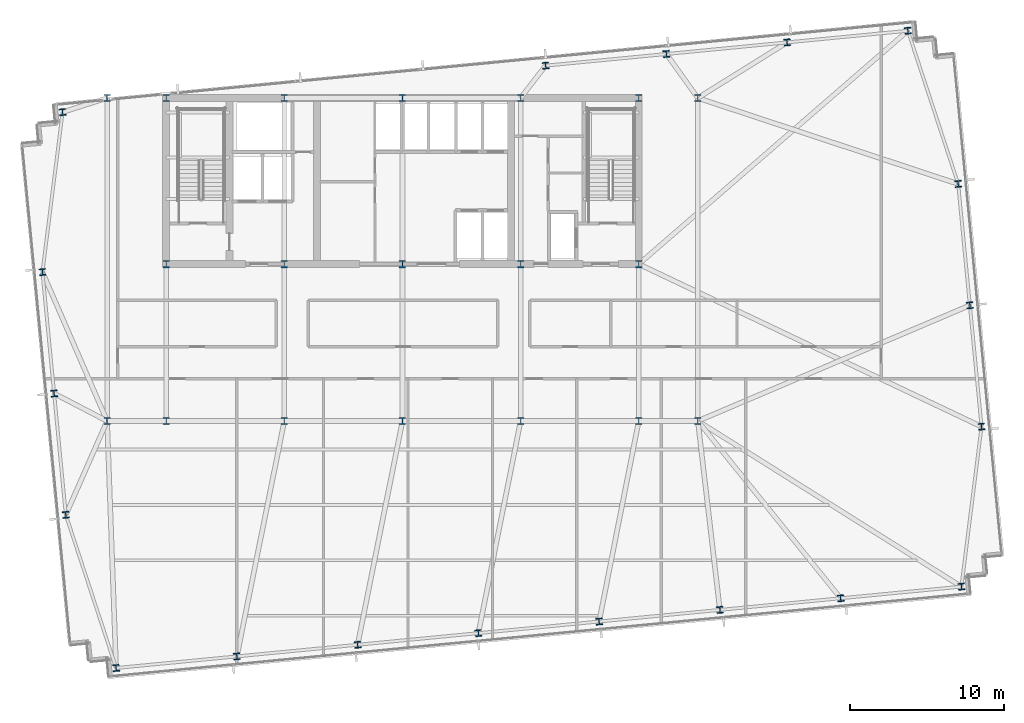
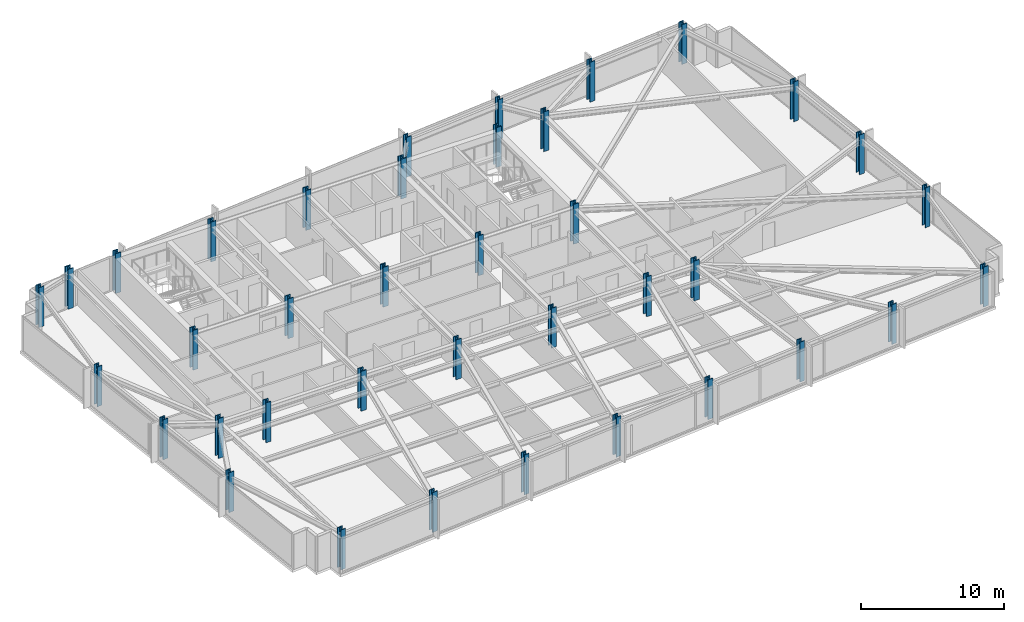
# One storey, part 1 of 32: 38 columns.
"""IFC4 building model written with IfcOpenShell, lengths in metres."""

from ifc_helpers import new_model, si_unit, direction, frame, origin, origin_2d, place, context, subcontext, project, spatial, i_section, extrude, material, material_profile, profile_set, type_object, element, save


model = new_model("IFC4")

# Units and contexts
model_context = context("Model", 3, precision=1e-05, world=origin(), true_north=direction((0.0, 1.0)))
body_context = subcontext(model_context, "Body", "Model", "MODEL_VIEW")
ifc_project = project(units=[si_unit("LENGTHUNIT", "METRE"), si_unit("AREAUNIT", "SQUARE_METRE"), si_unit("VOLUMEUNIT", "CUBIC_METRE"), si_unit("PLANEANGLEUNIT", "RADIAN"), si_unit("MASSUNIT", "GRAM", prefix="KILO")], contexts=[model_context])

# Site, building, storey
site_placement = place(None, origin())
site = spatial("IfcSite", under=ifc_project, at=site_placement, CompositionType="ELEMENT")
building_placement = place(site_placement, origin())
building = spatial("IfcBuilding", under=site, at=building_placement, Name="Yelkora Congress Tower", CompositionType="ELEMENT")
storey_placement = place(building_placement, frame((0.0, 0.0, 133.89990234375)))
storey = spatial("IfcBuildingStorey", under=building, at=storey_placement, Name="L36", CompositionType="ELEMENT", Elevation=133.89990234375)

# Columns
ifc_material = material(Name="Steel S460M", Category="steel")
ifc_material_profile_1 = material_profile(ifc_material, i_section(OverallWidth=0.412109375, OverallDepth=0.43505859375, WebThickness=0.035888671875, FlangeThickness=0.05810546875, FilletRadius=0.014892578125, at=origin_2d()), Name="HD 400x463")
ifc_profile_set_1 = profile_set([ifc_material_profile_1], Name="Steel S460M")
column_type_1 = type_object("IfcColumnType", Name="COL-HD-463-EXT", PredefinedType="COLUMN", material=ifc_profile_set_1)
for number, where, z_axis, x_axis, name in (
    (1, (19.785888671875, 9.144287109375, 0.0), (0.0, 0.0, 1.0), (0.995396198367, 0.09584575252, 0.0), "L36 Perimeter Column S01"),
    (2, (27.635498046875, 9.900146484375, 0.0), (0.0, 0.0, 1.0), (0.995396198367, 0.09584575252, 0.0), "L36 Perimeter Column S02"),
    (3, (35.48486328125, 10.656005859375, 0.0), (0.0, 0.0, 1.0), (0.995396198367, 0.09584575252, 0.0), "L36 Perimeter Column S03"),
    (4, (43.334228515625, 11.411865234375, 0.0), (0.0, 0.0, 1.0), (0.995396198367, 0.09584575252, 0.0), "L36 Perimeter Column S04"),
    (5, (51.18359375, 12.16748046875, 0.0), (0.0, 0.0, 1.0), (0.995396198367, 0.09584575252, 0.0), "L36 Perimeter Column S05"),
    (6, (59.033203125, 12.92333984375, 0.0), (0.0, 0.0, 1.0), (0.995396198367, 0.09584575252, 0.0), "L36 Perimeter Column S06"),
    (7, (66.882568359375, 13.67919921875, 0.0), (0.0, 0.0, 1.0), (0.995396198367, 0.09584575252, 0.0), "L36 Perimeter Column S07"),
    (8, (74.73193359375, 14.43505859375, 0.0), (0.0, 0.0, 1.0), (0.995396198367, 0.09584575252, 0.0), "L36 Perimeter Column S08"),
    (9, (16.306884765625, 45.27734375, 0.0), (0.0, 0.0, 1.0), (0.995396198367, 0.09584575252, 0.0), "L36 Perimeter Column N01"),
    (10, (47.70458984375, 48.300537109375, 0.0), (0.0, 0.0, 1.0), (0.995396198367, 0.09584575252, 0.0), "L36 Perimeter Column N05"),
    (11, (55.553955078125, 49.056396484375, 0.0), (0.0, 0.0, 1.0), (0.995396198367, 0.09584575252, 0.0), "L36 Perimeter Column N06"),
    (12, (63.4033203125, 49.81201171875, 0.0), (0.0, 0.0, 1.0), (0.995396198367, 0.09584575252, 0.0), "L36 Perimeter Column N07"),
    (13, (71.252685546875, 50.568115234375, 0.0), (0.0, 0.0, 1.0), (0.995396198367, 0.09584575252, 0.0), "L36 Perimeter Column N08"),
    (14, (16.5166015625, 19.101806640625, 0.0), (0.0, 0.0, 1.0), (0.995396198367, 0.09584575252, 0.0), "L36 Perimeter Column W01"),
    (15, (76.041259765625, 24.83349609375, 0.0), (0.0, 0.0, 1.0), (0.995396198367, 0.09584575252, 0.0), "L36 Perimeter Column E01"),
    (16, (15.757080078125, 26.990478515625, 0.0), (0.0, 0.0, 1.0), (0.995396198367, 0.09584575252, 0.0), "L36 Perimeter Column W02"),
    (17, (75.28173828125, 32.721923828125, 0.0), (0.0, 0.0, 1.0), (0.995396198367, 0.09584575252, 0.0), "L36 Perimeter Column E02"),
    (18, (14.997314453125, 34.87890625, 0.0), (0.0, 0.0, 1.0), (0.995396198367, 0.09584575252, 0.0), "L36 Perimeter Column W03"),
    (19, (74.522216796875, 40.610595703125, 0.0), (0.0, 0.0, 1.0), (0.995396198367, 0.09584575252, 0.0), "L36 Perimeter Column E03"),
):
    element("IfcColumn", number, at=place(storey_placement, frame(where, z_axis=z_axis, x_axis=x_axis)), inside=storey, type_object=column_type_1, Name=name, PredefinedType="COLUMN", context=body_context, shape_type="SweptSolid", body=[
        extrude(i_section(OverallWidth=0.412109375, OverallDepth=0.43505859375, WebThickness=0.035888671875, FlangeThickness=0.05810546875, FilletRadius=0.014892578125, at=origin_2d()), origin(), (0.0, 0.0, 1.0), 3.400146484375),
    ])
ifc_material_profile_2 = material_profile(ifc_material, i_section(OverallWidth=0.424072265625, OverallDepth=0.47412109375, WebThickness=0.047119140625, FlangeThickness=0.076904296875, FilletRadius=0.014892578125, at=origin_2d()), Name="HD 400x634")
ifc_profile_set_2 = profile_set([ifc_material_profile_2], Name="Steel S460M")
column_type_2 = type_object("IfcColumnType", Name="COL-HD-634", PredefinedType="COLUMN", material=ifc_profile_set_2)
for number, where, z_axis, x_axis, name in (
    (20, (23.0400390625, 35.39990234375, 0.0), (0.0, 0.0, 1.0), (1.0, 0.0, 0.0), "L36 Mega Column MC-S1"),
    (21, (23.0400390625, 46.199951171875, 0.0), (0.0, 0.0, 1.0), (1.0, 0.0, 0.0), "L36 Mega Column MC-N1"),
    (22, (23.0400390625, 25.199951171875, 0.0), (0.0, 0.0, 1.0), (1.0, 0.0, 0.0), "L36 Mega Column MC-D1"),
    (23, (30.719970703125, 35.39990234375, 0.0), (0.0, 0.0, 1.0), (1.0, 0.0, 0.0), "L36 Mega Column MC-S2"),
    (24, (30.719970703125, 46.199951171875, 0.0), (0.0, 0.0, 1.0), (1.0, 0.0, 0.0), "L36 Mega Column MC-N2"),
    (25, (30.719970703125, 25.199951171875, 0.0), (0.0, 0.0, 1.0), (1.0, 0.0, 0.0), "L36 Mega Column MC-D2"),
    (26, (38.39990234375, 35.39990234375, 0.0), (0.0, 0.0, 1.0), (1.0, 0.0, 0.0), "L36 Mega Column MC-S3"),
    (27, (38.39990234375, 46.199951171875, 0.0), (0.0, 0.0, 1.0), (1.0, 0.0, 0.0), "L36 Mega Column MC-N3"),
    (28, (38.39990234375, 25.199951171875, 0.0), (0.0, 0.0, 1.0), (1.0, 0.0, 0.0), "L36 Mega Column MC-D3"),
    (29, (46.080078125, 35.39990234375, 0.0), (0.0, 0.0, 1.0), (1.0, 0.0, 0.0), "L36 Mega Column MC-S4"),
    (30, (46.080078125, 46.199951171875, 0.0), (0.0, 0.0, 1.0), (1.0, 0.0, 0.0), "L36 Mega Column MC-N4"),
    (31, (46.080078125, 25.199951171875, 0.0), (0.0, 0.0, 1.0), (1.0, 0.0, 0.0), "L36 Mega Column MC-D4"),
    (32, (53.760009765625, 35.39990234375, 0.0), (0.0, 0.0, 1.0), (1.0, 0.0, 0.0), "L36 Mega Column MC-S5"),
    (33, (53.760009765625, 46.199951171875, 0.0), (0.0, 0.0, 1.0), (1.0, 0.0, 0.0), "L36 Mega Column MC-N5"),
    (34, (53.760009765625, 25.199951171875, 0.0), (0.0, 0.0, 1.0), (1.0, 0.0, 0.0), "L36 Mega Column MC-D5"),
    (35, (19.199951171875, 25.199951171875, 0.0), (0.0, 0.0, 1.0), (1.0, 0.0, 0.0), "L36 Mega Column MC-F1"),
    (36, (57.60009765625, 25.199951171875, 0.0), (0.0, 0.0, 1.0), (1.0, 0.0, 0.0), "L36 Mega Column MC-F2"),
    (37, (19.199951171875, 46.199951171875, 0.0), (0.0, 0.0, 1.0), (1.0, 0.0, 0.0), "L36 Mega Column MC-F3"),
    (38, (57.60009765625, 46.199951171875, 0.0), (0.0, 0.0, 1.0), (1.0, 0.0, 0.0), "L36 Mega Column MC-F4"),
):
    element("IfcColumn", number, at=place(storey_placement, frame(where, z_axis=z_axis, x_axis=x_axis)), inside=storey, type_object=column_type_2, Name=name, PredefinedType="COLUMN", context=body_context, shape_type="SweptSolid", body=[
        extrude(i_section(OverallWidth=0.424072265625, OverallDepth=0.47412109375, WebThickness=0.047119140625, FlangeThickness=0.076904296875, FilletRadius=0.014892578125, at=origin_2d()), origin(), (0.0, 0.0, 1.0), 3.400146484375),
    ])

save(model, "model.ifc")
